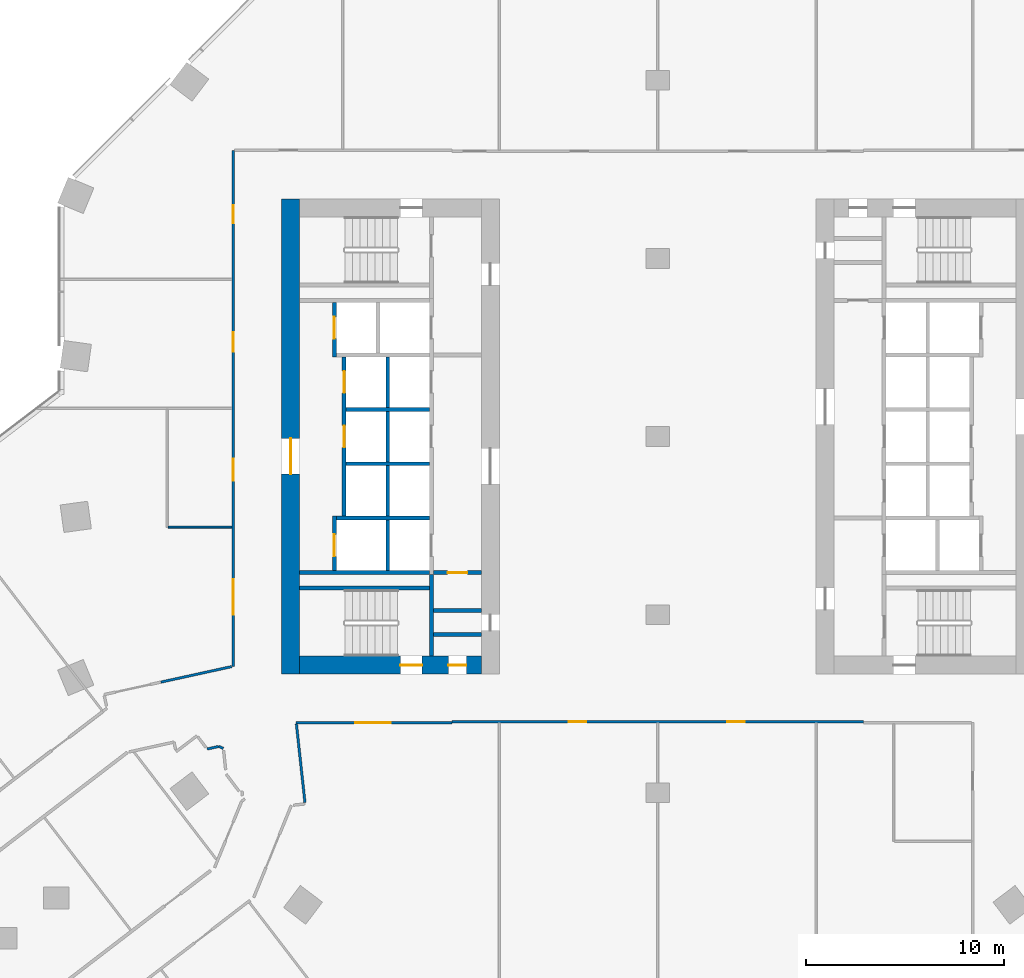
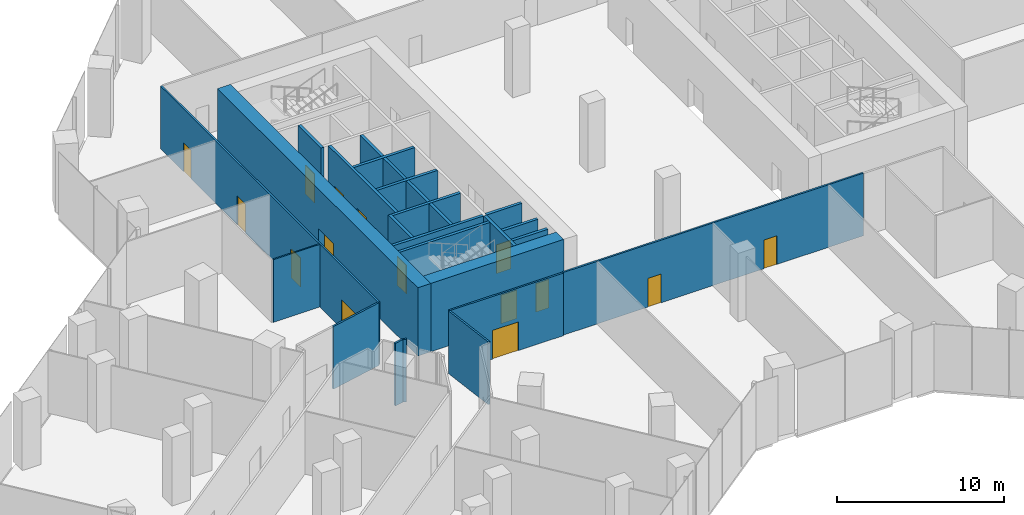
# One storey, part 23 of 29: 26 walls, 15 doors, 15 openings.
"""IFC4 building model written with IfcOpenShell, lengths in metres."""

from ifc_helpers import new_model, si_unit, direction, frame, frame_2d, origin, place, context, subcontext, project, spatial, rectangle, extrude, material, layer, layer_set, type_object, element, fill, save


model = new_model("IFC4")

# Units and contexts
model_context = context("Model", 3, precision=1e-05, world=origin(), true_north=direction((0.0, 1.0)))
body_context = subcontext(model_context, "Body", "Model", "MODEL_VIEW")
ifc_project = project(units=[si_unit("LENGTHUNIT", "METRE"), si_unit("AREAUNIT", "SQUARE_METRE"), si_unit("VOLUMEUNIT", "CUBIC_METRE"), si_unit("PLANEANGLEUNIT", "RADIAN"), si_unit("MASSUNIT", "GRAM", prefix="KILO")], contexts=[model_context])

# Site, building, storey
site_placement = place(None, origin())
site = spatial("IfcSite", under=ifc_project, at=site_placement, CompositionType="ELEMENT")
building_placement = place(site_placement, origin())
building = spatial("IfcBuilding", under=site, at=building_placement, Name="Orlundy Tower", CompositionType="ELEMENT")
storey_placement = place(building_placement, frame((0.0, 0.0, 15.5)))
storey = spatial("IfcBuildingStorey", under=building, at=storey_placement, Name="L02", CompositionType="ELEMENT", Elevation=15.5)

# Wall, openings, doors
ifc_material_1 = material(Name="Concrete C80/95", Category="concrete")
ifc_layer_1 = layer(ifc_material_1, 0.89990234375)
ifc_layer_set_1 = layer_set([ifc_layer_1], Name="CORE WALL 900 C80/95")
wall_type_1 = type_object("IfcWallType", Name="CORE WALL 900 C80/95", PredefinedType="SHEAR", material=ifc_layer_set_1)
wall_1_placement = place(storey_placement, frame((-18.10009765625, -11.550048828125, 0.0), z_axis=(0.0, 0.0, 1.0), x_axis=(1.0, 0.0, 0.0)))
wall_1 = element("IfcWall", 1, at=wall_1_placement, inside=storey, type_object=wall_type_1, Name="Core wall W-S L02", PredefinedType="SHEAR", context=body_context, shape_type="SweptSolid", body=[
    extrude(rectangle(XDim=9.2001953125, YDim=0.89990234375, at=frame_2d((4.60009765625, 0.0))), origin(), (0.0, 0.0, 1.0), 5.0),
])
opening_1_placement = place(wall_1_placement, frame((5.10009765625, 0.0, 0.0)))
opening_1 = element("IfcOpeningElement", 2, at=opening_1_placement, cuts=wall_1, Name="Opening 03013", PredefinedType="OPENING", context=body_context, shape_type="SweptSolid", body=[
    extrude(rectangle(XDim=1.10009765625, YDim=2.10009765625, at=frame_2d((0.550048828125, 1.050048828125))), frame((0.0, 0.4599609375, 0.0), z_axis=(0.0, -1.0, 0.0), x_axis=(1.0, 0.0, 0.0)), (0.0, 0.0, 1.0), 0.919921875),
])
opening_2_placement = place(wall_1_placement, frame((7.530029296875, 0.0, 0.0)))
opening_2 = element("IfcOpeningElement", 3, at=opening_2_placement, cuts=wall_1, Name="Opening 03015", PredefinedType="OPENING", context=body_context, shape_type="SweptSolid", body=[
    extrude(rectangle(XDim=0.89990234375, YDim=2.10009765625, at=frame_2d((0.449951171875, 1.050048828125))), frame((0.0, 0.4599609375, 0.0), z_axis=(0.0, -1.0, 0.0), x_axis=(1.0, 0.0, 0.0)), (0.0, 0.0, 1.0), 0.919921875),
])
ifc_material_2 = material(Name="Timber door set", Category="wood")
door_type_1 = type_object("IfcDoorType", Name="Room Door 900x2100", OperationType="SINGLE_SWING_LEFT", PredefinedType="DOOR", material=ifc_material_2)
door_1_placement = place(opening_2_placement, origin())
door_1 = element("IfcDoor", 4, at=door_1_placement, inside=storey, type_object=door_type_1, Name="Store door 03015", OperationType="SINGLE_SWING_RIGHT", OverallHeight=2.10009765625, OverallWidth=0.89990234375, PredefinedType="DOOR", context=body_context, shape_type="SweptSolid", body=[
    extrude(rectangle(XDim=0.89990234375, YDim=2.10009765625, at=frame_2d((0.449951171875, 1.050048828125))), frame((0.0, 0.02490234375, 0.0), z_axis=(0.0, -1.0, 0.0), x_axis=(1.0, 0.0, 0.0)), (0.0, 0.0, 1.0), 0.050048828125),
])
fill(opening_2, door_1)
ifc_material_3 = material(Name="Steel door set", Category="steel")
door_type_2 = type_object("IfcDoorType", Name="Stair Door 1100x2100", OperationType="SINGLE_SWING_LEFT", PredefinedType="DOOR", material=ifc_material_3)
door_2_placement = place(opening_1_placement, origin())
door_2 = element("IfcDoor", 5, at=door_2_placement, inside=storey, type_object=door_type_2, Name="Stair door 03013", OperationType="SINGLE_SWING_RIGHT", OverallHeight=2.10009765625, OverallWidth=1.10009765625, PredefinedType="DOOR", context=body_context, shape_type="SweptSolid", body=[
    extrude(rectangle(XDim=1.10009765625, YDim=2.10009765625, at=frame_2d((0.550048828125, 1.050048828125))), frame((0.0, 0.02490234375, 0.0), z_axis=(0.0, -1.0, 0.0), x_axis=(1.0, 0.0, 0.0)), (0.0, 0.0, 1.0), 0.050048828125),
])
fill(opening_1, door_2)

# Wall, opening, door
wall_2_placement = place(storey_placement, frame((-18.550048828125, -12.0, 0.0), z_axis=(0.0, 0.0, 1.0), x_axis=(0.0, 1.0, 0.0)))
wall_2 = element("IfcWall", 6, at=wall_2_placement, inside=storey, type_object=wall_type_1, Name="Core wall W-W L02", PredefinedType="SHEAR", context=body_context, shape_type="SweptSolid", body=[
    extrude(rectangle(XDim=24.0, YDim=0.89990234375, at=frame_2d((12.0, 0.0))), origin(), (0.0, 0.0, 1.0), 5.0),
])
opening_3_placement = place(wall_2_placement, frame((10.10009765625, 0.0, 0.0)))
opening_3 = element("IfcOpeningElement", 7, at=opening_3_placement, cuts=wall_2, Name="Opening 03010", PredefinedType="OPENING", context=body_context, shape_type="SweptSolid", body=[
    extrude(rectangle(XDim=1.800048828125, YDim=2.10009765625, at=frame_2d((0.89990234375, 1.050048828125))), frame((0.0, 0.4599609375, 0.0), z_axis=(0.0, -1.0, 0.0), x_axis=(1.0, 0.0, 0.0)), (0.0, 0.0, 1.0), 0.919921875),
])
ifc_material_4 = material(Name="Timber door set", Category="wood")
door_type_3 = type_object("IfcDoorType", Name="Lobby Door 1800x2100", OperationType="DOUBLE_DOOR_DOUBLE_SWING", PredefinedType="DOOR", material=ifc_material_4)
door_3_placement = place(opening_3_placement, origin())
door_3 = element("IfcDoor", 8, at=door_3_placement, inside=storey, type_object=door_type_3, Name="Lift lobby door 03010", OperationType="SINGLE_SWING_LEFT", OverallHeight=2.10009765625, OverallWidth=1.800048828125, PredefinedType="DOOR", context=body_context, shape_type="SweptSolid", body=[
    extrude(rectangle(XDim=1.800048828125, YDim=2.10009765625, at=frame_2d((0.89990234375, 1.050048828125))), frame((0.0, 0.02490234375, 0.0), z_axis=(0.0, -1.0, 0.0), x_axis=(1.0, 0.0, 0.0)), (0.0, 0.0, 1.0), 0.050048828125),
])
fill(opening_3, door_3)

# Walls
ifc_material_5 = material(Name="Gypsum board partition")
ifc_layer_2 = layer(ifc_material_5, 0.10009765625)
ifc_layer_set_2 = layer_set([ifc_layer_2], Name="Floor partition 100")
wall_type_2 = type_object("IfcWallType", Name="Floor partition 100", PredefinedType="PARTITIONING", material=ifc_layer_set_2)
wall_3_placement = place(storey_placement, frame((-24.73193359375, -4.5791015625, 0.0), z_axis=(0.0, 0.0, 1.0), x_axis=(1.0, 0.0, 0.0)))
element("IfcWall", 9, at=wall_3_placement, inside=storey, type_object=wall_type_2, Name="wall-int-L02-026", PredefinedType="PARTITIONING", context=body_context, shape_type="SweptSolid", body=[
    extrude(rectangle(XDim=3.219970703125, YDim=0.10009765625, at=frame_2d((1.60986328125, 0.0))), origin(), (0.0, 0.0, 1.0), 4.580078125),
])
ifc_material_6 = material(Name="Gypsum board partition, double layer")
ifc_layer_3 = layer(ifc_material_6, 0.125)
ifc_layer_set_3 = layer_set([ifc_layer_3], Name="Floor partition 125")
wall_type_3 = type_object("IfcWallType", Name="Floor partition 125", PredefinedType="PARTITIONING", material=ifc_layer_set_3)
wall_4_placement = place(storey_placement, frame((-18.2548828125, -14.512939453125, 0.0), z_axis=(0.0, 0.0, 1.0), x_axis=(0.108304050005, -0.994117816334, 0.0)))
element("IfcWall", 10, at=wall_4_placement, inside=storey, type_object=wall_type_3, Name="wall-int-L02-003", PredefinedType="PARTITIONING", context=body_context, shape_type="SweptSolid", body=[
    extrude(rectangle(XDim=4.005859375, YDim=0.125, at=frame_2d((2.0029296875, 0.0))), origin(), (0.0, 0.0, 1.0), 4.580078125),
])
wall_5_placement = place(storey_placement, frame((-22.169921875, -15.656005859375, 0.0), z_axis=(0.0, 0.0, 1.0), x_axis=(0.914864311429, -0.403761429156, 0.0)))
element("IfcWall", 11, at=wall_5_placement, inside=storey, type_object=wall_type_3, Name="wall-int-L02-020", PredefinedType="PARTITIONING", context=body_context, shape_type="SweptSolid", body=[
    extrude(rectangle(XDim=0.247802734375, YDim=0.125, at=frame_2d((0.1240234375, 0.0))), origin(), (0.0, 0.0, 1.0), 4.580078125),
])

# Wall, opening, door
wall_6_placement = place(storey_placement, frame((-10.39111328125, -14.450927734375, 0.0), z_axis=(0.0, 0.0, 1.0), x_axis=(-1.0, 0.0, 0.0)))
wall_6 = element("IfcWall", 12, at=wall_6_placement, inside=storey, type_object=wall_type_3, Name="wall-int-L02-022", PredefinedType="PARTITIONING", context=body_context, shape_type="SweptSolid", body=[
    extrude(rectangle(XDim=7.870849609375, YDim=0.125, at=frame_2d((3.935546875, 0.0))), origin(), (0.0, 0.0, 1.0), 4.580078125),
])
opening_4_placement = place(wall_6_placement, frame((3.10009765625, 0.0, 0.0)))
opening_4 = element("IfcOpeningElement", 13, at=opening_4_placement, cuts=wall_6, Name="Opening 03114", PredefinedType="OPENING", context=body_context, shape_type="SweptSolid", body=[
    extrude(rectangle(XDim=1.800048828125, YDim=2.10009765625, at=frame_2d((0.89990234375, 1.050048828125))), frame((0.0, 0.072509765625, 0.0), z_axis=(0.0, -1.0, 0.0), x_axis=(1.0, 0.0, 0.0)), (0.0, 0.0, 1.0), 0.14501953125),
])
ifc_material_7 = material(Name="Timber door leaf", Category="wood")
door_type_4 = type_object("IfcDoorType", Name="Floor door double 1800 FD30S", OperationType="NOTDEFINED", PredefinedType="DOOR", material=ifc_material_7)
door_4_placement = place(opening_4_placement, origin())
door_4 = element("IfcDoor", 14, at=door_4_placement, inside=storey, type_object=door_type_4, Name="Door 03114", OperationType="DOUBLE_DOOR_SINGLE_SWING", OverallHeight=2.10009765625, OverallWidth=1.800048828125, PredefinedType="DOOR", context=body_context, shape_type="SweptSolid", body=[
    extrude(rectangle(XDim=1.800048828125, YDim=2.10009765625, at=frame_2d((0.89990234375, 1.050048828125))), frame((0.0, 0.02490234375, 0.0), z_axis=(0.0, -1.0, 0.0), x_axis=(1.0, 0.0, 0.0)), (0.0, 0.0, 1.0), 0.050048828125),
])
fill(opening_4, door_4)

# Wall, openings, doors
wall_7_placement = place(storey_placement, frame((10.39111328125, -14.40087890625, 0.0), z_axis=(0.0, 0.0, 1.0), x_axis=(-1.0, 0.0, 0.0)))
wall_7 = element("IfcWall", 15, at=wall_7_placement, inside=storey, type_object=wall_type_3, Name="wall-int-L02-024", PredefinedType="PARTITIONING", context=body_context, shape_type="SweptSolid", body=[
    extrude(rectangle(XDim=20.781005859375, YDim=0.125, at=frame_2d((10.390625, 0.0))), origin(), (0.0, 0.0, 1.0), 4.580078125),
])
opening_5_placement = place(wall_7_placement, frame((13.990966796875, 0.0, 0.0)))
opening_5 = element("IfcOpeningElement", 16, at=opening_5_placement, cuts=wall_7, Name="Opening 03115", PredefinedType="OPENING", context=body_context, shape_type="SweptSolid", body=[
    extrude(rectangle(XDim=0.89990234375, YDim=2.10009765625, at=frame_2d((0.449951171875, 1.050048828125))), frame((0.0, 0.072509765625, 0.0), z_axis=(0.0, -1.0, 0.0), x_axis=(1.0, 0.0, 0.0)), (0.0, 0.0, 1.0), 0.14501953125),
])
opening_6_placement = place(wall_7_placement, frame((5.990966796875, 0.0, 0.0)))
opening_6 = element("IfcOpeningElement", 17, at=opening_6_placement, cuts=wall_7, Name="Opening 03116", PredefinedType="OPENING", context=body_context, shape_type="SweptSolid", body=[
    extrude(rectangle(XDim=0.89990234375, YDim=2.10009765625, at=frame_2d((0.449951171875, 1.050048828125))), frame((0.0, 0.072509765625, 0.0), z_axis=(0.0, -1.0, 0.0), x_axis=(1.0, 0.0, 0.0)), (0.0, 0.0, 1.0), 0.14501953125),
])
ifc_material_8 = material(Name="Timber door leaf", Category="wood")
door_type_5 = type_object("IfcDoorType", Name="Floor door single 900 FD30S", OperationType="NOTDEFINED", PredefinedType="DOOR", material=ifc_material_8)
door_5_placement = place(opening_5_placement, origin())
door_5 = element("IfcDoor", 18, at=door_5_placement, inside=storey, type_object=door_type_5, Name="Door 03115", OperationType="SINGLE_SWING_RIGHT", OverallHeight=2.10009765625, OverallWidth=0.89990234375, PredefinedType="DOOR", context=body_context, shape_type="SweptSolid", body=[
    extrude(rectangle(XDim=0.89990234375, YDim=2.10009765625, at=frame_2d((0.449951171875, 1.050048828125))), frame((0.0, 0.02490234375, 0.0), z_axis=(0.0, -1.0, 0.0), x_axis=(1.0, 0.0, 0.0)), (0.0, 0.0, 1.0), 0.050048828125),
])
fill(opening_5, door_5)
door_6_placement = place(opening_6_placement, origin())
door_6 = element("IfcDoor", 19, at=door_6_placement, inside=storey, type_object=door_type_5, Name="Door 03116", OperationType="SINGLE_SWING_LEFT", OverallHeight=2.10009765625, OverallWidth=0.89990234375, PredefinedType="DOOR", context=body_context, shape_type="SweptSolid", body=[
    extrude(rectangle(XDim=0.89990234375, YDim=2.10009765625, at=frame_2d((0.449951171875, 1.050048828125))), frame((0.0, 0.02490234375, 0.0), z_axis=(0.0, -1.0, 0.0), x_axis=(1.0, 0.0, 0.0)), (0.0, 0.0, 1.0), 0.050048828125),
])
fill(opening_6, door_6)

# Walls
wall_8_placement = place(storey_placement, frame((-22.764892578125, -15.787109375, 0.0), z_axis=(0.0, 0.0, 1.0), x_axis=(0.97657209397, 0.215190486033, 0.0)))
element("IfcWall", 20, at=wall_8_placement, inside=storey, type_object=wall_type_3, Name="wall-int-L02-036", PredefinedType="PARTITIONING", context=body_context, shape_type="SweptSolid", body=[
    extrude(rectangle(XDim=0.609130859375, YDim=0.125, at=frame_2d((0.3046875, 0.0))), origin(), (0.0, 0.0, 1.0), 4.580078125),
])
wall_9_placement = place(storey_placement, frame((-25.10205078125, -12.407958984375, 0.0), z_axis=(0.0, 0.0, 1.0), x_axis=(0.976805954505, 0.214126428176, 0.0)))
element("IfcWall", 21, at=wall_9_placement, inside=storey, type_object=wall_type_3, Name="wall-int-L02-037", PredefinedType="PARTITIONING", context=body_context, shape_type="SweptSolid", body=[
    extrude(rectangle(XDim=3.6611328125, YDim=0.125, at=frame_2d((1.83056640625, 0.0))), origin(), (0.0, 0.0, 1.0), 4.580078125),
])

# Wall, openings, doors
wall_10_placement = place(storey_placement, frame((-21.449951171875, -11.60693359375, 0.0), z_axis=(0.0, 0.0, 1.0), x_axis=(0.0, 1.0, 0.0)))
wall_10 = element("IfcWall", 22, at=wall_10_placement, inside=storey, type_object=wall_type_3, Name="wall-int-L02-061", PredefinedType="PARTITIONING", context=body_context, shape_type="SweptSolid", body=[
    extrude(rectangle(XDim=26.057861328125, YDim=0.125, at=frame_2d((13.02880859375, 0.0))), origin(), (0.0, 0.0, 1.0), 4.580078125),
])
opening_7_placement = place(wall_10_placement, frame((2.60009765625, 0.0, 0.0)))
opening_7 = element("IfcOpeningElement", 23, at=opening_7_placement, cuts=wall_10, Name="Opening 03111", PredefinedType="OPENING", context=body_context, shape_type="SweptSolid", body=[
    extrude(rectangle(XDim=1.800048828125, YDim=2.10009765625, at=frame_2d((0.89990234375, 1.050048828125))), frame((0.0, 0.072509765625, 0.0), z_axis=(0.0, -1.0, 0.0), x_axis=(1.0, 0.0, 0.0)), (0.0, 0.0, 1.0), 0.14501953125),
])
opening_8_placement = place(wall_10_placement, frame((22.39111328125, 0.0, 0.0)))
opening_8 = element("IfcOpeningElement", 24, at=opening_8_placement, cuts=wall_10, Name="Opening 03125", PredefinedType="OPENING", context=body_context, shape_type="SweptSolid", body=[
    extrude(rectangle(XDim=0.89990234375, YDim=2.10009765625, at=frame_2d((0.449951171875, 1.050048828125))), frame((0.0, 0.072509765625, 0.0), z_axis=(0.0, -1.0, 0.0), x_axis=(1.0, 0.0, 0.0)), (0.0, 0.0, 1.0), 0.14501953125),
])
opening_9_placement = place(wall_10_placement, frame((15.876953125, 0.0, 0.0)))
opening_9 = element("IfcOpeningElement", 25, at=opening_9_placement, cuts=wall_10, Name="Opening 03127", PredefinedType="OPENING", context=body_context, shape_type="SweptSolid", body=[
    extrude(rectangle(XDim=1.0, YDim=2.10009765625, at=frame_2d((0.5, 1.050048828125))), frame((0.0, 0.072509765625, 0.0), z_axis=(0.0, -1.0, 0.0), x_axis=(1.0, 0.0, 0.0)), (0.0, 0.0, 1.0), 0.14501953125),
])
opening_10_placement = place(wall_10_placement, frame((9.3779296875, 0.0, 0.0)))
opening_10 = element("IfcOpeningElement", 26, at=opening_10_placement, cuts=wall_10, Name="Opening 03129", PredefinedType="OPENING", context=body_context, shape_type="SweptSolid", body=[
    extrude(rectangle(XDim=1.10009765625, YDim=2.10009765625, at=frame_2d((0.550048828125, 1.050048828125))), frame((0.0, 0.072509765625, 0.0), z_axis=(0.0, -1.0, 0.0), x_axis=(1.0, 0.0, 0.0)), (0.0, 0.0, 1.0), 0.14501953125),
])
door_7_placement = place(opening_7_placement, origin())
door_7 = element("IfcDoor", 27, at=door_7_placement, inside=storey, type_object=door_type_4, Name="Door 03111", OperationType="DOUBLE_DOOR_SINGLE_SWING", OverallHeight=2.10009765625, OverallWidth=1.800048828125, PredefinedType="DOOR", context=body_context, shape_type="SweptSolid", body=[
    extrude(rectangle(XDim=1.800048828125, YDim=2.10009765625, at=frame_2d((0.89990234375, 1.050048828125))), frame((0.0, 0.02490234375, 0.0), z_axis=(0.0, -1.0, 0.0), x_axis=(1.0, 0.0, 0.0)), (0.0, 0.0, 1.0), 0.050048828125),
])
fill(opening_7, door_7)
door_8_placement = place(opening_8_placement, origin())
door_8 = element("IfcDoor", 28, at=door_8_placement, inside=storey, type_object=door_type_5, Name="Door 03125", OperationType="SINGLE_SWING_RIGHT", OverallHeight=2.10009765625, OverallWidth=0.89990234375, PredefinedType="DOOR", context=body_context, shape_type="SweptSolid", body=[
    extrude(rectangle(XDim=0.89990234375, YDim=2.10009765625, at=frame_2d((0.449951171875, 1.050048828125))), frame((0.0, 0.02490234375, 0.0), z_axis=(0.0, -1.0, 0.0), x_axis=(1.0, 0.0, 0.0)), (0.0, 0.0, 1.0), 0.050048828125),
])
fill(opening_8, door_8)
ifc_material_9 = material(Name="Timber door leaf", Category="wood")
door_type_6 = type_object("IfcDoorType", Name="Floor door wide 1000 FD30S", OperationType="NOTDEFINED", PredefinedType="DOOR", material=ifc_material_9)
door_9_placement = place(opening_9_placement, origin())
door_9 = element("IfcDoor", 29, at=door_9_placement, inside=storey, type_object=door_type_6, Name="Door 03127", OperationType="SINGLE_SWING_RIGHT", OverallHeight=2.10009765625, OverallWidth=1.0, PredefinedType="DOOR", context=body_context, shape_type="SweptSolid", body=[
    extrude(rectangle(XDim=1.0, YDim=2.10009765625, at=frame_2d((0.5, 1.050048828125))), frame((0.0, 0.02490234375, 0.0), z_axis=(0.0, -1.0, 0.0), x_axis=(1.0, 0.0, 0.0)), (0.0, 0.0, 1.0), 0.050048828125),
])
fill(opening_9, door_9)
ifc_material_10 = material(Name="Timber door leaf", Category="wood")
door_type_7 = type_object("IfcDoorType", Name="Floor door xwide 1100 FD30S", OperationType="NOTDEFINED", PredefinedType="DOOR", material=ifc_material_10)
door_10_placement = place(opening_10_placement, origin())
door_10 = element("IfcDoor", 30, at=door_10_placement, inside=storey, type_object=door_type_7, Name="Door 03129", OperationType="SINGLE_SWING_LEFT", OverallHeight=2.10009765625, OverallWidth=1.10009765625, PredefinedType="DOOR", context=body_context, shape_type="SweptSolid", body=[
    extrude(rectangle(XDim=1.10009765625, YDim=2.10009765625, at=frame_2d((0.550048828125, 1.050048828125))), frame((0.0, 0.02490234375, 0.0), z_axis=(0.0, -1.0, 0.0), x_axis=(1.0, 0.0, 0.0)), (0.0, 0.0, 1.0), 0.050048828125),
])
fill(opening_10, door_10)

# Walls
ifc_material_11 = material(Name="Concrete C40/50", Category="concrete")
ifc_layer_4 = layer(ifc_material_11, 0.199951171875)
ifc_layer_set_4 = layer_set([ifc_layer_4], Name="Load-bearing Shaft Wall 200")
wall_type_4 = type_object("IfcWallType", Name="Load-bearing Shaft Wall 200", PredefinedType="SOLIDWALL", material=ifc_layer_set_4)
wall_11_placement = place(storey_placement, frame((-11.43994140625, -11.10009765625, 0.0), z_axis=(0.0, 0.0, 1.0), x_axis=(0.0, 1.0, 0.0)))
element("IfcWall", 31, at=wall_11_placement, inside=storey, type_object=wall_type_4, Name="Shaft wall W03-stair-end-s", PredefinedType="SOLIDWALL", context=body_context, shape_type="SweptSolid", body=[
    extrude(rectangle(XDim=4.125, YDim=0.199951171875, at=frame_2d((2.0625, 0.0))), origin(), (0.0, 0.0, 1.0), 4.590087890625),
])
wall_12_placement = place(storey_placement, frame((-11.5400390625, -7.64990234375, 0.0), z_axis=(0.0, 0.0, 1.0), x_axis=(-1.0, 0.0, 0.0)))
element("IfcWall", 32, at=wall_12_placement, inside=storey, type_object=wall_type_4, Name="Shaft wall W03-stair-side-s", PredefinedType="SOLIDWALL", context=body_context, shape_type="SweptSolid", body=[
    extrude(rectangle(XDim=6.56005859375, YDim=0.199951171875, at=frame_2d((3.280029296875, 0.0))), origin(), (0.0, 0.0, 1.0), 4.590087890625),
])

# Wall, opening, door
ifc_material_12 = material(Name="Gypsum board partition on steel studs", Category="steel")
ifc_layer_5 = layer(ifc_material_12, 0.199951171875)
ifc_layer_set_5 = layer_set([ifc_layer_5], Name="Partition 200")
wall_type_5 = type_object("IfcWallType", Name="Partition 200", PredefinedType="PARTITIONING", material=ifc_layer_set_5)
wall_13_placement = place(storey_placement, frame((-8.89990234375, -6.875, 0.0), z_axis=(0.0, 0.0, 1.0), x_axis=(-1.0, 0.0, 0.0)))
wall_13 = element("IfcWall", 33, at=wall_13_placement, inside=storey, type_object=wall_type_5, Name="Partition wall W03-end-s", PredefinedType="PARTITIONING", context=body_context, shape_type="SweptSolid", body=[
    extrude(rectangle(XDim=2.440185546875, YDim=0.199951171875, at=frame_2d((1.22021484375, 0.0))), origin(), (0.0, 0.0, 1.0), 4.590087890625),
])
opening_11_placement = place(wall_13_placement, frame((0.719970703125, 0.0, 0.0)))
opening_11 = element("IfcOpeningElement", 34, at=opening_11_placement, cuts=wall_13, Name="Opening 03017", PredefinedType="OPENING", context=body_context, shape_type="SweptSolid", body=[
    extrude(rectangle(XDim=1.0, YDim=2.10009765625, at=frame_2d((0.5, 1.050048828125))), frame((0.0, 0.110107421875, 0.0), z_axis=(0.0, -1.0, 0.0), x_axis=(1.0, 0.0, 0.0)), (0.0, 0.0, 1.0), 0.22021484375),
])
ifc_material_13 = material(Name="Timber door set", Category="wood")
door_type_8 = type_object("IfcDoorType", Name="Accessible Door 1000x2100", OperationType="SINGLE_SWING_LEFT", PredefinedType="DOOR", material=ifc_material_13)
door_11_placement = place(opening_11_placement, origin())
door_11 = element("IfcDoor", 35, at=door_11_placement, inside=storey, type_object=door_type_8, Name="Accessible WC door 03017", OperationType="SINGLE_SWING_RIGHT", OverallHeight=2.10009765625, OverallWidth=1.0, PredefinedType="DOOR", context=body_context, shape_type="SweptSolid", body=[
    extrude(rectangle(XDim=1.0, YDim=2.10009765625, at=frame_2d((0.5, 1.050048828125))), frame((0.0, 0.02490234375, 0.0), z_axis=(0.0, -1.0, 0.0), x_axis=(1.0, 0.0, 0.0)), (0.0, 0.0, 1.0), 0.050048828125),
])
fill(opening_11, door_11)

# Walls
for number, where, z_axis, x_axis, name in (
    (36, (-8.89990234375, -10.0, 0.0), (0.0, 0.0, 1.0), (-1.0, 0.0, 0.0), "Partition wall W03-room-s0"),
    (37, (-8.89990234375, -8.800048828125, 0.0), (0.0, 0.0, 1.0), (-1.0, 0.0, 0.0), "Partition wall W03-room-s1"),
):
    element("IfcWall", number, at=place(storey_placement, frame(where, z_axis=z_axis, x_axis=x_axis)), inside=storey, type_object=wall_type_5, Name=name, PredefinedType="PARTITIONING", context=body_context, shape_type="SweptSolid", body=[
        extrude(rectangle(XDim=2.440185546875, YDim=0.199951171875, at=frame_2d((1.22021484375, 0.0))), origin(), (0.0, 0.0, 1.0), 4.590087890625),
    ])
ifc_material_14 = material(Name="Fire-rated blockwork shaft wall", Category="masonry")
ifc_layer_6 = layer(ifc_material_14, 0.199951171875)
ifc_layer_set_6 = layer_set([ifc_layer_6], Name="Shaft Wall 200")
wall_type_6 = type_object("IfcWallType", Name="Shaft Wall 200", PredefinedType="SOLIDWALL", material=ifc_layer_set_6)
wall_14_placement = place(storey_placement, frame((-11.5400390625, -6.875, 0.0), z_axis=(0.0, 0.0, 1.0), x_axis=(-1.0, 0.0, 0.0)))
element("IfcWall", 38, at=wall_14_placement, inside=storey, type_object=wall_type_6, Name="Shaft wall W03-zone-s", PredefinedType="SOLIDWALL", context=body_context, shape_type="SweptSolid", body=[
    extrude(rectangle(XDim=6.56005859375, YDim=0.199951171875, at=frame_2d((3.280029296875, 0.0))), origin(), (0.0, 0.0, 1.0), 4.590087890625),
])
wall_15_placement = place(storey_placement, frame((-11.5400390625, -4.125, 0.0), z_axis=(0.0, 0.0, 1.0), x_axis=(-1.0, 0.0, 0.0)))
element("IfcWall", 39, at=wall_15_placement, inside=storey, type_object=wall_type_6, Name="Shaft wall W03-cross-4.125", PredefinedType="SOLIDWALL", context=body_context, shape_type="SweptSolid", body=[
    extrude(rectangle(XDim=4.699951171875, YDim=0.199951171875, at=frame_2d((2.35009765625, 0.0))), origin(), (0.0, 0.0, 1.0), 4.590087890625),
])
for number, where, z_axis, x_axis, name in (
    (40, (-11.5400390625, -1.375, 0.0), (0.0, 0.0, 1.0), (-1.0, 0.0, 0.0), "Shaft wall W03-cross-1.375"),
    (41, (-11.5400390625, 1.375, 0.0), (0.0, 0.0, 1.0), (-1.0, 0.0, 0.0), "Shaft wall W03-cross+1.375"),
):
    element("IfcWall", number, at=place(storey_placement, frame(where, z_axis=z_axis, x_axis=x_axis)), inside=storey, type_object=wall_type_6, Name=name, PredefinedType="SOLIDWALL", context=body_context, shape_type="SweptSolid", body=[
        extrude(rectangle(XDim=4.199951171875, YDim=0.199951171875, at=frame_2d((2.10009765625, 0.0))), origin(), (0.0, 0.0, 1.0), 4.590087890625),
    ])
for number, where, z_axis, x_axis, name in (
    (42, (-13.639892578125, -6.77490234375, 0.0), (0.0, 0.0, 1.0), (0.0, 1.0, 0.0), "Shaft wall W03-mid-a"),
    (43, (-13.639892578125, -4.02490234375, 0.0), (0.0, 0.0, 1.0), (0.0, 1.0, 0.0), "Shaft wall W03-mid-a.1"),
    (44, (-13.639892578125, -1.27490234375, 0.0), (0.0, 0.0, 1.0), (0.0, 1.0, 0.0), "Shaft wall W03-mid-a.2"),
    (45, (-13.639892578125, 1.47509765625, 0.0), (0.0, 0.0, 1.0), (0.0, 1.0, 0.0), "Shaft wall W03-mid-a.3"),
):
    element("IfcWall", number, at=place(storey_placement, frame(where, z_axis=z_axis, x_axis=x_axis)), inside=storey, type_object=wall_type_6, Name=name, PredefinedType="SOLIDWALL", context=body_context, shape_type="SweptSolid", body=[
        extrude(rectangle(XDim=2.5498046875, YDim=0.199951171875, at=frame_2d((1.27490234375, 0.0))), origin(), (0.0, 0.0, 1.0), 4.590087890625),
    ])

# Wall, opening, door
wall_16_placement = place(storey_placement, frame((-16.340087890625, -6.77490234375, 0.0), z_axis=(0.0, 0.0, 1.0), x_axis=(0.0, 1.0, 0.0)))
wall_16 = element("IfcWall", 46, at=wall_16_placement, inside=storey, type_object=wall_type_6, Name="Shaft wall W03-front-o-a", PredefinedType="SOLIDWALL", context=body_context, shape_type="SweptSolid", body=[
    extrude(rectangle(XDim=2.75, YDim=0.199951171875, at=frame_2d((1.375, 0.0))), origin(), (0.0, 0.0, 1.0), 4.590087890625),
])
opening_12_placement = place(wall_16_placement, frame((0.72509765625, 0.0, 0.0)))
opening_12 = element("IfcOpeningElement", 47, at=opening_12_placement, cuts=wall_16, Name="Opening 03002", PredefinedType="OPENING", context=body_context, shape_type="SweptSolid", body=[
    extrude(rectangle(XDim=1.10009765625, YDim=2.10009765625, at=frame_2d((0.550048828125, 1.050048828125))), frame((0.0, 0.110107421875, 0.0), z_axis=(0.0, -1.0, 0.0), x_axis=(1.0, 0.0, 0.0)), (0.0, 0.0, 1.0), 0.22021484375),
])
ifc_material_15 = material(Name="Steel door set", Category="steel")
door_type_9 = type_object("IfcDoorType", Name="Landing Door 1100x2100", OperationType="DOUBLE_DOOR_SLIDING", PredefinedType="DOOR", material=ifc_material_15)
door_12_placement = place(opening_12_placement, origin())
door_12 = element("IfcDoor", 48, at=door_12_placement, inside=storey, type_object=door_type_9, Name="Lift landing door LV-01 03002", OperationType="DOUBLE_DOOR_SLIDING", OverallHeight=2.10009765625, OverallWidth=1.10009765625, PredefinedType="DOOR", context=body_context, shape_type="SweptSolid", body=[
    extrude(rectangle(XDim=1.10009765625, YDim=2.10009765625, at=frame_2d((0.550048828125, 1.050048828125))), frame((0.0, 0.02490234375, 0.0), z_axis=(0.0, -1.0, 0.0), x_axis=(1.0, 0.0, 0.0)), (0.0, 0.0, 1.0), 0.050048828125),
])
fill(opening_12, door_12)

# Wall, openings, doors
wall_17_placement = place(storey_placement, frame((-15.840087890625, -4.02490234375, 0.0), z_axis=(0.0, 0.0, 1.0), x_axis=(0.0, 1.0, 0.0)))
wall_17 = element("IfcWall", 49, at=wall_17_placement, inside=storey, type_object=wall_type_6, Name="Shaft wall W03-front-o-b", PredefinedType="SOLIDWALL", context=body_context, shape_type="SweptSolid", body=[
    extrude(rectangle(XDim=8.0498046875, YDim=0.199951171875, at=frame_2d((4.02490234375, 0.0))), origin(), (0.0, 0.0, 1.0), 4.590087890625),
])
opening_13_placement = place(wall_17_placement, frame((3.47509765625, 0.0, 0.0)))
opening_13 = element("IfcOpeningElement", 50, at=opening_13_placement, cuts=wall_17, Name="Opening 03004", PredefinedType="OPENING", context=body_context, shape_type="SweptSolid", body=[
    extrude(rectangle(XDim=1.10009765625, YDim=2.10009765625, at=frame_2d((0.550048828125, 1.050048828125))), frame((0.0, 0.110107421875, 0.0), z_axis=(0.0, -1.0, 0.0), x_axis=(1.0, 0.0, 0.0)), (0.0, 0.0, 1.0), 0.22021484375),
])
opening_14_placement = place(wall_17_placement, frame((6.22509765625, 0.0, 0.0)))
opening_14 = element("IfcOpeningElement", 51, at=opening_14_placement, cuts=wall_17, Name="Opening 03006", PredefinedType="OPENING", context=body_context, shape_type="SweptSolid", body=[
    extrude(rectangle(XDim=1.10009765625, YDim=2.10009765625, at=frame_2d((0.550048828125, 1.050048828125))), frame((0.0, 0.110107421875, 0.0), z_axis=(0.0, -1.0, 0.0), x_axis=(1.0, 0.0, 0.0)), (0.0, 0.0, 1.0), 0.22021484375),
])
door_13_placement = place(opening_13_placement, origin())
door_13 = element("IfcDoor", 52, at=door_13_placement, inside=storey, type_object=door_type_9, Name="Lift landing door LP-01 03004", OperationType="DOUBLE_DOOR_SLIDING", OverallHeight=2.10009765625, OverallWidth=1.10009765625, PredefinedType="DOOR", context=body_context, shape_type="SweptSolid", body=[
    extrude(rectangle(XDim=1.10009765625, YDim=2.10009765625, at=frame_2d((0.550048828125, 1.050048828125))), frame((0.0, 0.02490234375, 0.0), z_axis=(0.0, -1.0, 0.0), x_axis=(1.0, 0.0, 0.0)), (0.0, 0.0, 1.0), 0.050048828125),
])
fill(opening_13, door_13)
door_14_placement = place(opening_14_placement, origin())
door_14 = element("IfcDoor", 53, at=door_14_placement, inside=storey, type_object=door_type_9, Name="Lift landing door LP-03 03006", OperationType="DOUBLE_DOOR_SLIDING", OverallHeight=2.10009765625, OverallWidth=1.10009765625, PredefinedType="DOOR", context=body_context, shape_type="SweptSolid", body=[
    extrude(rectangle(XDim=1.10009765625, YDim=2.10009765625, at=frame_2d((0.550048828125, 1.050048828125))), frame((0.0, 0.02490234375, 0.0), z_axis=(0.0, -1.0, 0.0), x_axis=(1.0, 0.0, 0.0)), (0.0, 0.0, 1.0), 0.050048828125),
])
fill(opening_14, door_14)

# Wall, opening, door
wall_18_placement = place(storey_placement, frame((-16.340087890625, 4.02490234375, 0.0), z_axis=(0.0, 0.0, 1.0), x_axis=(0.0, 1.0, 0.0)))
wall_18 = element("IfcWall", 54, at=wall_18_placement, inside=storey, type_object=wall_type_6, Name="Shaft wall W03-front-o-c", PredefinedType="SOLIDWALL", context=body_context, shape_type="SweptSolid", body=[
    extrude(rectangle(XDim=2.75, YDim=0.199951171875, at=frame_2d((1.375, 0.0))), origin(), (0.0, 0.0, 1.0), 4.590087890625),
])
opening_15_placement = place(wall_18_placement, frame((0.925048828125, 0.0, 0.0)))
opening_15 = element("IfcOpeningElement", 55, at=opening_15_placement, cuts=wall_18, Name="Opening 03008", PredefinedType="OPENING", context=body_context, shape_type="SweptSolid", body=[
    extrude(rectangle(XDim=1.10009765625, YDim=2.10009765625, at=frame_2d((0.550048828125, 1.050048828125))), frame((0.0, 0.110107421875, 0.0), z_axis=(0.0, -1.0, 0.0), x_axis=(1.0, 0.0, 0.0)), (0.0, 0.0, 1.0), 0.22021484375),
])
door_15_placement = place(opening_15_placement, origin())
door_15 = element("IfcDoor", 56, at=door_15_placement, inside=storey, type_object=door_type_9, Name="Lift landing door LP-04 03008", OperationType="DOUBLE_DOOR_SLIDING", OverallHeight=2.10009765625, OverallWidth=1.10009765625, PredefinedType="DOOR", context=body_context, shape_type="SweptSolid", body=[
    extrude(rectangle(XDim=1.10009765625, YDim=2.10009765625, at=frame_2d((0.550048828125, 1.050048828125))), frame((0.0, 0.02490234375, 0.0), z_axis=(0.0, -1.0, 0.0), x_axis=(1.0, 0.0, 0.0)), (0.0, 0.0, 1.0), 0.050048828125),
])
fill(opening_15, door_15)

save(model, "model.ifc")
